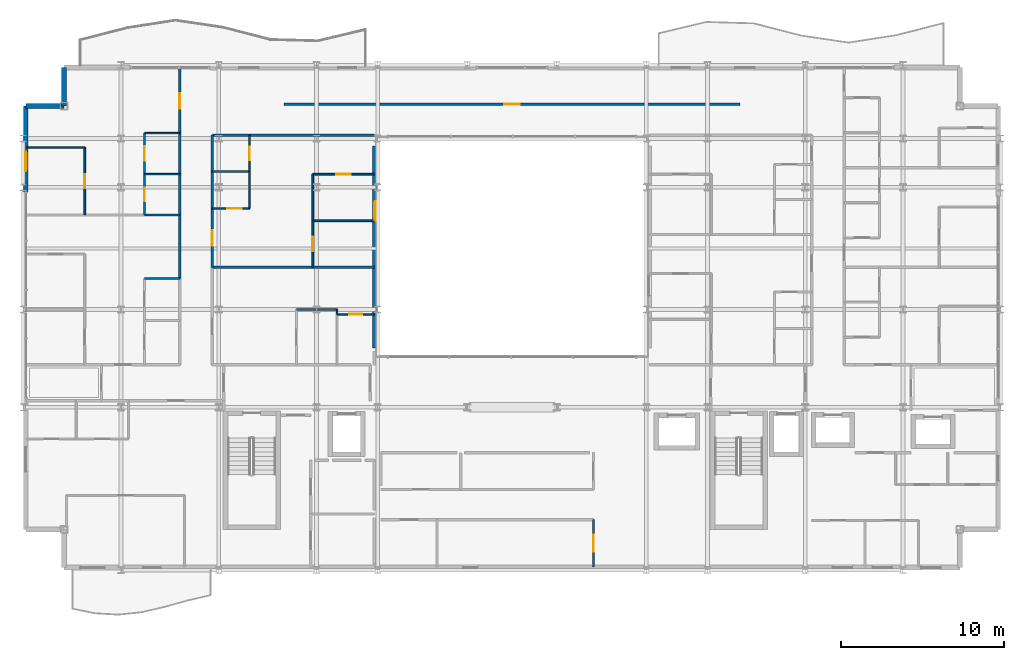
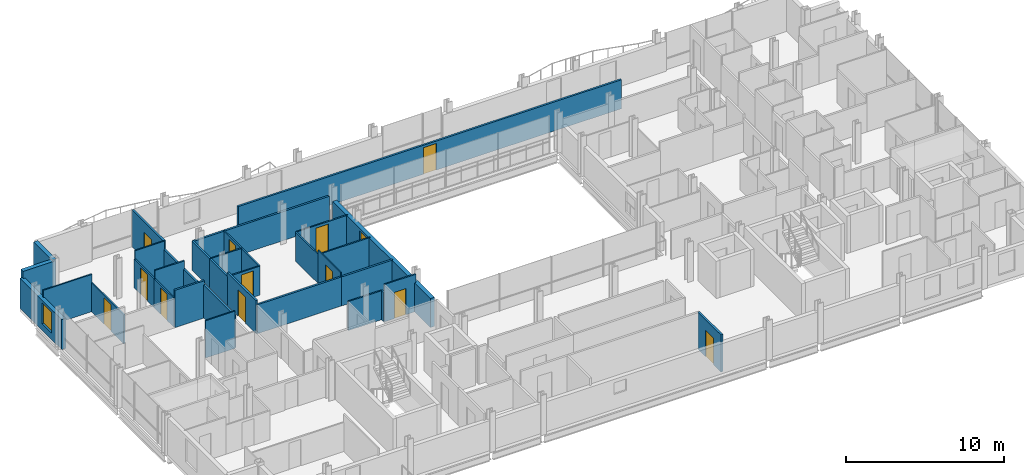
# One storey, part 33 of 40: 36 walls, 12 doors, 2 windows, 14 openings.
"""IFC4 building model written with IfcOpenShell, lengths in metres."""

from ifc_helpers import new_model, si_unit, direction, frame, frame_2d, origin, place, context, subcontext, project, spatial, rectangle, extrude, material, layer, layer_set, type_object, element, fill, save


model = new_model("IFC4")

# Units and contexts
model_context = context("Model", 3, precision=1e-05, world=origin(), true_north=direction((0.0, 1.0)))
body_context = subcontext(model_context, "Body", "Model", "MODEL_VIEW")
ifc_project = project(units=[si_unit("LENGTHUNIT", "METRE"), si_unit("AREAUNIT", "SQUARE_METRE"), si_unit("VOLUMEUNIT", "CUBIC_METRE"), si_unit("PLANEANGLEUNIT", "RADIAN"), si_unit("MASSUNIT", "GRAM", prefix="KILO")], contexts=[model_context])

# Site, building, storey
site_placement = place(None, origin())
site = spatial("IfcSite", under=ifc_project, at=site_placement, CompositionType="ELEMENT")
building_placement = place(site_placement, origin())
building = spatial("IfcBuilding", under=site, at=building_placement, Name="Brevholm Reach", CompositionType="ELEMENT")
storey_placement = place(building_placement, frame((0.0, 0.0, 119.0)))
storey = spatial("IfcBuildingStorey", under=building, at=storey_placement, Name="L35", CompositionType="ELEMENT", Elevation=119.0)

# Walls
ifc_material_1 = material(Name="Concrete C40/50", Category="concrete")
ifc_layer_1 = layer(ifc_material_1, 0.300048828125)
ifc_layer_set_1 = layer_set([ifc_layer_1], Name="Concrete C40/50")
wall_type_1 = type_object("IfcWallType", Name="WAL-EXT-300", PredefinedType="STANDARD", material=ifc_layer_set_1)
for number, where, z_axis, x_axis, name in (
    (1, (2.5, 30.85009765625, 0.0), (0.0, 0.0, 1.0), (0.0, -1.0, 0.0), "L35 Facade Wall WAL-L35-CNW1"),
    (2, (2.5, 28.5, 0.0), (0.0, 0.0, 1.0), (-1.0, 0.0, 0.0), "L35 Facade Wall WAL-L35-CNW2"),
):
    element("IfcWall", number, at=place(storey_placement, frame(where, z_axis=z_axis, x_axis=x_axis)), inside=storey, type_object=wall_type_1, Name=name, PredefinedType="STANDARD", context=body_context, shape_type="SweptSolid", body=[
        extrude(rectangle(XDim=2.35009765625, YDim=0.300048828125, at=frame_2d((1.175048828125, 0.0))), origin(), (0.0, 0.0, 1.0), 2.8798828125),
    ])

# Wall, opening, window
wall_1_placement = place(storey_placement, frame((0.14990234375, 28.5, 0.0), z_axis=(0.0, 0.0, 1.0), x_axis=(0.0, -1.0, 0.0)))
wall_1 = element("IfcWall", 3, at=wall_1_placement, inside=storey, type_object=wall_type_1, Name="L35 Facade Wall WAL-L35-W-N", PredefinedType="STANDARD", context=body_context, shape_type="SweptSolid", body=[
    extrude(rectangle(XDim=5.280029296875, YDim=0.300048828125, at=frame_2d((2.64013671875, 0.0))), origin(), (0.0, 0.0, 1.0), 2.322021484375),
])
opening_1_placement = place(wall_1_placement, frame((2.800048828125, 0.0, 0.501953125)))
opening_1 = element("IfcOpeningElement", 4, at=opening_1_placement, cuts=wall_1, Name="Opening WN-08", PredefinedType="OPENING", context=body_context, shape_type="SweptSolid", body=[
    extrude(rectangle(XDim=1.199951171875, YDim=1.60009765625, at=frame_2d((0.60009765625, 0.800048828125))), frame((0.0, 0.159912109375, 0.0), z_axis=(0.0, -1.0, 0.0), x_axis=(1.0, 0.0, 0.0)), (0.0, 0.0, 1.0), 0.320068359375),
])
ifc_material_2 = material(Name="Dark Anodised Aluminium and Solar-Control IGU Glass", Category="aluminium")
window_type = type_object("IfcWindowType", Name="WIN-RES-1200", PartitioningType="SINGLE_PANEL", PredefinedType="WINDOW", material=ifc_material_2)
window_1_placement = place(opening_1_placement, origin())
window_1 = element("IfcWindow", 5, at=window_1_placement, inside=storey, type_object=window_type, Name="L35 Window WIN-L35-WN-1", OverallHeight=1.60009765625, OverallWidth=1.199951171875, PartitioningType="SINGLE_PANEL", PredefinedType="WINDOW", context=body_context, shape_type="SweptSolid", body=[
    extrude(rectangle(XDim=1.199951171875, YDim=1.60009765625, at=frame_2d((0.60009765625, 0.800048828125))), frame((0.0, 0.030029296875, 0.0), z_axis=(0.0, -1.0, 0.0), x_axis=(1.0, 0.0, 0.0)), (0.0, 0.0, 1.0), 0.06005859375),
])
fill(opening_1, window_1)

wall_2_placement = place(storey_placement, frame((21.60009765625, 26.050048828125, 0.0), z_axis=(0.0, 0.0, 1.0), x_axis=(0.0, -1.0, 0.0)))
wall_2 = element("IfcWall", 6, at=wall_2_placement, inside=storey, type_object=wall_type_1, Name="L35 Facade Wall WAL-L35-AT-W", PredefinedType="STANDARD", context=body_context, shape_type="SweptSolid", body=[
    extrude(rectangle(XDim=12.400146484375, YDim=0.300048828125, at=frame_2d((6.2001953125, 0.0))), origin(), (0.0, 0.0, 1.0), 2.242919921875),
])
opening_2_placement = place(wall_2_placement, frame((3.39990234375, 0.0, 0.423095703125)))
opening_2 = element("IfcOpeningElement", 7, at=opening_2_placement, cuts=wall_2, Name="Opening WN-08", PredefinedType="OPENING", context=body_context, shape_type="SweptSolid", body=[
    extrude(rectangle(XDim=1.199951171875, YDim=1.60009765625, at=frame_2d((0.60009765625, 0.800048828125))), frame((0.0, 0.159912109375, 0.0), z_axis=(0.0, -1.0, 0.0), x_axis=(1.0, 0.0, 0.0)), (0.0, 0.0, 1.0), 0.320068359375),
])
window_2_placement = place(opening_2_placement, origin())
window_2 = element("IfcWindow", 8, at=window_2_placement, inside=storey, type_object=window_type, Name="L35 Window WIN-L35-AT-W1", OverallHeight=1.60009765625, OverallWidth=1.199951171875, PartitioningType="SINGLE_PANEL", PredefinedType="WINDOW", context=body_context, shape_type="SweptSolid", body=[
    extrude(rectangle(XDim=1.199951171875, YDim=1.60009765625, at=frame_2d((0.60009765625, 0.800048828125))), frame((0.0, 0.030029296875, 0.0), z_axis=(0.0, -1.0, 0.0), x_axis=(1.0, 0.0, 0.0)), (0.0, 0.0, 1.0), 0.06005859375),
])
fill(opening_2, window_2)

# Walls
ifc_material_3 = material(Name="Moisture-Resistant Acoustic Gypsum Stud Partition 100 mm", Category="gypsum")
ifc_layer_2 = layer(ifc_material_3, 0.10009765625)
ifc_layer_set_2 = layer_set([ifc_layer_2], Name="Moisture-Resistant Acoustic Gypsum Stud Partition 100 mm")
wall_type_2 = type_object("IfcWallType", Name="WAL-PRT-100", PredefinedType="PARTITIONING", material=ifc_layer_set_2)
for number, where, z_axis, x_axis, name in (
    (9, (7.43798828125, 17.89990234375, 0.0), (0.0, 0.0, 1.0), (1.0, 0.0, 0.0), "L35 Internal Partition 090"),
    (10, (7.43798828125, 24.31005859375, 0.0), (0.0, 0.0, 1.0), (1.0, 0.0, 0.0), "L35 Internal Partition 099"),
):
    element("IfcWall", number, at=place(storey_placement, frame(where, z_axis=z_axis, x_axis=x_axis)), inside=storey, type_object=wall_type_2, Name=name, PredefinedType="PARTITIONING", context=body_context, shape_type="SweptSolid", body=[
        extrude(rectangle(XDim=2.157958984375, YDim=0.10009765625, at=frame_2d((1.0791015625, 0.0))), origin(), (0.0, 0.0, 1.0), 2.8798828125),
    ])

# Wall, opening, door
wall_3_placement = place(storey_placement, frame((7.43798828125, 21.803955078125, 0.0), z_axis=(0.0, 0.0, 1.0), x_axis=(0.0, 1.0, 0.0)))
wall_3 = element("IfcWall", 11, at=wall_3_placement, inside=storey, type_object=wall_type_2, Name="L35 Internal Partition 100", PredefinedType="PARTITIONING", context=body_context, shape_type="SweptSolid", body=[
    extrude(rectangle(XDim=2.506103515625, YDim=0.10009765625, at=frame_2d((1.2529296875, 0.0))), origin(), (0.0, 0.0, 1.0), 2.242919921875),
])
opening_3_placement = place(wall_3_placement, frame((0.843017578125, 0.0, 0.0)))
opening_3 = element("IfcOpeningElement", 12, at=opening_3_placement, cuts=wall_3, Name="Opening ID-03", PredefinedType="OPENING", context=body_context, shape_type="SweptSolid", body=[
    extrude(rectangle(XDim=0.820068359375, YDim=2.02001953125, at=frame_2d((0.41015625, 1.010009765625))), frame((0.0, 0.06005859375, 0.0), z_axis=(0.0, -1.0, 0.0), x_axis=(1.0, 0.0, 0.0)), (0.0, 0.0, 1.0), 0.1201171875),
])
ifc_material_4 = material(Name="Moisture-Resistant Painted Timber Internal Bathroom Door", Category="wood")
door_type_1 = type_object("IfcDoorType", Name="DOR-BATH-820", OperationType="NOTDEFINED", PredefinedType="DOOR", material=ifc_material_4)
door_1_placement = place(opening_3_placement, origin())
door_1 = element("IfcDoor", 13, at=door_1_placement, inside=storey, type_object=door_type_1, Name="L35 Internal Door 037", OperationType="SINGLE_SWING_LEFT", OverallHeight=2.02001953125, OverallWidth=0.820068359375, PredefinedType="DOOR", context=body_context, shape_type="SweptSolid", body=[
    extrude(rectangle(XDim=0.820068359375, YDim=2.02001953125, at=frame_2d((0.41015625, 1.010009765625))), frame((0.0, 0.02490234375, 0.0), z_axis=(0.0, -1.0, 0.0), x_axis=(1.0, 0.0, 0.0)), (0.0, 0.0, 1.0), 0.050048828125),
])
fill(opening_3, door_1)

# Wall
wall_4_placement = place(storey_placement, frame((7.43798828125, 26.830078125, 0.0), z_axis=(0.0, 0.0, 1.0), x_axis=(1.0, 0.0, 0.0)))
element("IfcWall", 14, at=wall_4_placement, inside=storey, type_object=wall_type_2, Name="L35 Internal Partition 101", PredefinedType="PARTITIONING", context=body_context, shape_type="SweptSolid", body=[
    extrude(rectangle(XDim=2.157958984375, YDim=0.10009765625, at=frame_2d((1.0791015625, 0.0))), origin(), (0.0, 0.0, 1.0), 2.8798828125),
])

# Wall, opening, door
wall_5_placement = place(storey_placement, frame((7.43798828125, 24.31396484375, 0.0), z_axis=(0.0, 0.0, 1.0), x_axis=(0.0, 1.0, 0.0)))
wall_5 = element("IfcWall", 15, at=wall_5_placement, inside=storey, type_object=wall_type_2, Name="L35 Internal Partition 102", PredefinedType="PARTITIONING", context=body_context, shape_type="SweptSolid", body=[
    extrude(rectangle(XDim=2.51611328125, YDim=0.10009765625, at=frame_2d((1.258056640625, 0.0))), origin(), (0.0, 0.0, 1.0), 2.242919921875),
])
opening_4_placement = place(wall_5_placement, frame((0.818115234375, 0.0, 0.0)))
opening_4 = element("IfcOpeningElement", 16, at=opening_4_placement, cuts=wall_5, Name="Opening ID-01", PredefinedType="OPENING", context=body_context, shape_type="SweptSolid", body=[
    extrude(rectangle(XDim=0.8798828125, YDim=2.0400390625, at=frame_2d((0.43994140625, 1.02001953125))), frame((0.0, 0.06005859375, 0.0), z_axis=(0.0, -1.0, 0.0), x_axis=(1.0, 0.0, 0.0)), (0.0, 0.0, 1.0), 0.1201171875),
])
ifc_material_5 = material(Name="Lacquered Ash Solid-Core Acoustic Internal Door", Category="timber")
door_type_2 = type_object("IfcDoorType", Name="DOR-INT-880", OperationType="NOTDEFINED", PredefinedType="DOOR", material=ifc_material_5)
door_2_placement = place(opening_4_placement, origin())
door_2 = element("IfcDoor", 17, at=door_2_placement, inside=storey, type_object=door_type_2, Name="L35 Internal Door 038", OperationType="SINGLE_SWING_RIGHT", OverallHeight=2.0400390625, OverallWidth=0.8798828125, PredefinedType="DOOR", context=body_context, shape_type="SweptSolid", body=[
    extrude(rectangle(XDim=0.8798828125, YDim=2.0400390625, at=frame_2d((0.43994140625, 1.02001953125))), frame((0.0, 0.02490234375, 0.0), z_axis=(0.0, -1.0, 0.0), x_axis=(1.0, 0.0, 0.0)), (0.0, 0.0, 1.0), 0.050048828125),
])
fill(opening_4, door_2)

wall_6_placement = place(storey_placement, frame((3.77197265625, 21.803955078125, 0.0), z_axis=(0.0, 0.0, 1.0), x_axis=(0.0, 1.0, 0.0)))
wall_6 = element("IfcWall", 18, at=wall_6_placement, inside=storey, type_object=wall_type_2, Name="L35 Internal Partition 103", PredefinedType="PARTITIONING", context=body_context, shape_type="SweptSolid", body=[
    extrude(rectangle(XDim=4.14599609375, YDim=0.10009765625, at=frame_2d((2.072998046875, 0.0))), origin(), (0.0, 0.0, 1.0), 2.242919921875),
])
opening_5_placement = place(wall_6_placement, frame((1.633056640625, 0.0, 0.0)))
opening_5 = element("IfcOpeningElement", 19, at=opening_5_placement, cuts=wall_6, Name="Opening ID-01", PredefinedType="OPENING", context=body_context, shape_type="SweptSolid", body=[
    extrude(rectangle(XDim=0.8798828125, YDim=2.0400390625, at=frame_2d((0.43994140625, 1.02001953125))), frame((0.0, 0.06005859375, 0.0), z_axis=(0.0, -1.0, 0.0), x_axis=(1.0, 0.0, 0.0)), (0.0, 0.0, 1.0), 0.1201171875),
])
door_3_placement = place(opening_5_placement, origin())
door_3 = element("IfcDoor", 20, at=door_3_placement, inside=storey, type_object=door_type_2, Name="L35 Internal Door 039", OperationType="SINGLE_SWING_LEFT", OverallHeight=2.0400390625, OverallWidth=0.8798828125, PredefinedType="DOOR", context=body_context, shape_type="SweptSolid", body=[
    extrude(rectangle(XDim=0.8798828125, YDim=2.0400390625, at=frame_2d((0.43994140625, 1.02001953125))), frame((0.0, 0.02490234375, 0.0), z_axis=(0.0, -1.0, 0.0), x_axis=(1.0, 0.0, 0.0)), (0.0, 0.0, 1.0), 0.050048828125),
])
fill(opening_5, door_3)

# Wall
wall_7_placement = place(storey_placement, frame((0.199951171875, 25.949951171875, 0.0), z_axis=(0.0, 0.0, 1.0), x_axis=(1.0, 0.0, 0.0)))
element("IfcWall", 21, at=wall_7_placement, inside=storey, type_object=wall_type_2, Name="L35 Internal Partition 104", PredefinedType="PARTITIONING", context=body_context, shape_type="SweptSolid", body=[
    extrude(rectangle(XDim=3.572021484375, YDim=0.10009765625, at=frame_2d((1.7861328125, 0.0))), origin(), (0.0, 0.0, 1.0), 2.8798828125),
])

# Wall, opening, door
wall_8_placement = place(storey_placement, frame((19.260986328125, 15.699951171875, 0.0), z_axis=(0.0, 0.0, 1.0), x_axis=(1.0, 0.0, 0.0)))
wall_8 = element("IfcWall", 22, at=wall_8_placement, inside=storey, type_object=wall_type_2, Name="L35 Internal Partition 106", PredefinedType="PARTITIONING", context=body_context, shape_type="SweptSolid", body=[
    extrude(rectangle(XDim=2.2890625, YDim=0.10009765625, at=frame_2d((1.14453125, 0.0))), origin(), (0.0, 0.0, 1.0), 2.8798828125),
])
opening_6_placement = place(wall_8_placement, frame((0.734619140625, 0.0, 0.0)))
opening_6 = element("IfcOpeningElement", 23, at=opening_6_placement, cuts=wall_8, Name="Opening ID-03", PredefinedType="OPENING", context=body_context, shape_type="SweptSolid", body=[
    extrude(rectangle(XDim=0.820068359375, YDim=2.02001953125, at=frame_2d((0.41015625, 1.010009765625))), frame((0.0, 0.06005859375, 0.0), z_axis=(0.0, -1.0, 0.0), x_axis=(1.0, 0.0, 0.0)), (0.0, 0.0, 1.0), 0.1201171875),
])
door_4_placement = place(opening_6_placement, origin())
door_4 = element("IfcDoor", 24, at=door_4_placement, inside=storey, type_object=door_type_1, Name="L35 Internal Door 040", OperationType="SINGLE_SWING_RIGHT", OverallHeight=2.02001953125, OverallWidth=0.820068359375, PredefinedType="DOOR", context=body_context, shape_type="SweptSolid", body=[
    extrude(rectangle(XDim=0.820068359375, YDim=2.02001953125, at=frame_2d((0.41015625, 1.010009765625))), frame((0.0, 0.02490234375, 0.0), z_axis=(0.0, -1.0, 0.0), x_axis=(1.0, 0.0, 0.0)), (0.0, 0.0, 1.0), 0.050048828125),
])
fill(opening_6, door_4)

# Walls
wall_9_placement = place(storey_placement, frame((19.260986328125, 15.7041015625, 0.0), z_axis=(0.0, 0.0, 1.0), x_axis=(0.0, 1.0, 0.0)))
element("IfcWall", 25, at=wall_9_placement, inside=storey, type_object=wall_type_2, Name="L35 Internal Partition 107", PredefinedType="PARTITIONING", context=body_context, shape_type="SweptSolid", body=[
    extrude(rectangle(XDim=0.2958984375, YDim=0.10009765625, at=frame_2d((0.14794921875, 0.0))), origin(), (0.0, 0.0, 1.0), 2.242919921875),
])
wall_10_placement = place(storey_placement, frame((16.77294921875, 16.0, 0.0), z_axis=(0.0, 0.0, 1.0), x_axis=(1.0, 0.0, 0.0)))
element("IfcWall", 26, at=wall_10_placement, inside=storey, type_object=wall_type_2, Name="L35 Internal Partition 108", PredefinedType="PARTITIONING", context=body_context, shape_type="SweptSolid", body=[
    extrude(rectangle(XDim=2.488037109375, YDim=0.10009765625, at=frame_2d((1.244140625, 0.0))), origin(), (0.0, 0.0, 1.0), 2.242919921875),
])
wall_11_placement = place(storey_placement, frame((11.60400390625, 24.472900390625, 0.0), z_axis=(0.0, 0.0, 1.0), x_axis=(1.0, 0.0, 0.0)))
element("IfcWall", 27, at=wall_11_placement, inside=storey, type_object=wall_type_2, Name="L35 Internal Partition 112", PredefinedType="PARTITIONING", context=body_context, shape_type="SweptSolid", body=[
    extrude(rectangle(XDim=2.284912109375, YDim=0.10009765625, at=frame_2d((1.142578125, 0.0))), origin(), (0.0, 0.0, 1.0), 2.242919921875),
])

# Wall, opening, door
wall_12_placement = place(storey_placement, frame((13.888916015625, 24.472900390625, 0.0), z_axis=(0.0, 0.0, 1.0), x_axis=(0.0, 1.0, 0.0)))
wall_12 = element("IfcWall", 28, at=wall_12_placement, inside=storey, type_object=wall_type_2, Name="L35 Internal Partition 113", PredefinedType="PARTITIONING", context=body_context, shape_type="SweptSolid", body=[
    extrude(rectangle(XDim=2.22314453125, YDim=0.10009765625, at=frame_2d((1.111572265625, 0.0))), origin(), (0.0, 0.0, 1.0), 2.242919921875),
])
opening_7_placement = place(wall_12_placement, frame((0.701416015625, 0.0, 0.0)))
opening_7 = element("IfcOpeningElement", 29, at=opening_7_placement, cuts=wall_12, Name="Opening ID-03", PredefinedType="OPENING", context=body_context, shape_type="SweptSolid", body=[
    extrude(rectangle(XDim=0.820068359375, YDim=2.02001953125, at=frame_2d((0.41015625, 1.010009765625))), frame((0.0, 0.06005859375, 0.0), z_axis=(0.0, -1.0, 0.0), x_axis=(1.0, 0.0, 0.0)), (0.0, 0.0, 1.0), 0.1201171875),
])
door_5_placement = place(opening_7_placement, origin())
door_5 = element("IfcDoor", 30, at=door_5_placement, inside=storey, type_object=door_type_1, Name="L35 Internal Door 042", OperationType="SINGLE_SWING_RIGHT", OverallHeight=2.02001953125, OverallWidth=0.820068359375, PredefinedType="DOOR", context=body_context, shape_type="SweptSolid", body=[
    extrude(rectangle(XDim=0.820068359375, YDim=2.02001953125, at=frame_2d((0.41015625, 1.010009765625))), frame((0.0, 0.02490234375, 0.0), z_axis=(0.0, -1.0, 0.0), x_axis=(1.0, 0.0, 0.0)), (0.0, 0.0, 1.0), 0.050048828125),
])
fill(opening_7, door_5)

wall_13_placement = place(storey_placement, frame((11.60400390625, 22.205078125, 0.0), z_axis=(0.0, 0.0, 1.0), x_axis=(1.0, 0.0, 0.0)))
wall_13 = element("IfcWall", 31, at=wall_13_placement, inside=storey, type_object=wall_type_2, Name="L35 Internal Partition 114", PredefinedType="PARTITIONING", context=body_context, shape_type="SweptSolid", body=[
    extrude(rectangle(XDim=2.284912109375, YDim=0.10009765625, at=frame_2d((1.142578125, 0.0))), origin(), (0.0, 0.0, 1.0), 2.242919921875),
])
opening_8_placement = place(wall_13_placement, frame((0.922607421875, 0.0, 0.0)))
opening_8 = element("IfcOpeningElement", 32, at=opening_8_placement, cuts=wall_13, Name="Opening ID-01", PredefinedType="OPENING", context=body_context, shape_type="SweptSolid", body=[
    extrude(rectangle(XDim=0.8798828125, YDim=2.0400390625, at=frame_2d((0.43994140625, 1.02001953125))), frame((0.0, 0.06005859375, 0.0), z_axis=(0.0, -1.0, 0.0), x_axis=(1.0, 0.0, 0.0)), (0.0, 0.0, 1.0), 0.1201171875),
])
door_6_placement = place(opening_8_placement, origin())
door_6 = element("IfcDoor", 33, at=door_6_placement, inside=storey, type_object=door_type_2, Name="L35 Internal Door 043", OperationType="SINGLE_SWING_LEFT", OverallHeight=2.0400390625, OverallWidth=0.8798828125, PredefinedType="DOOR", context=body_context, shape_type="SweptSolid", body=[
    extrude(rectangle(XDim=0.8798828125, YDim=2.0400390625, at=frame_2d((0.43994140625, 1.02001953125))), frame((0.0, 0.02490234375, 0.0), z_axis=(0.0, -1.0, 0.0), x_axis=(1.0, 0.0, 0.0)), (0.0, 0.0, 1.0), 0.050048828125),
])
fill(opening_8, door_6)

# Walls
wall_14_placement = place(storey_placement, frame((13.888916015625, 22.205078125, 0.0), z_axis=(0.0, 0.0, 1.0), x_axis=(0.0, 1.0, 0.0)))
element("IfcWall", 34, at=wall_14_placement, inside=storey, type_object=wall_type_2, Name="L35 Internal Partition 115", PredefinedType="PARTITIONING", context=body_context, shape_type="SweptSolid", body=[
    extrude(rectangle(XDim=2.263916015625, YDim=0.10009765625, at=frame_2d((1.1318359375, 0.0))), origin(), (0.0, 0.0, 1.0), 2.242919921875),
])
wall_15_placement = place(storey_placement, frame((17.76904296875, 21.449951171875, 0.0), z_axis=(0.0, 0.0, 1.0), x_axis=(1.0, 0.0, 0.0)))
element("IfcWall", 35, at=wall_15_placement, inside=storey, type_object=wall_type_2, Name="L35 Internal Partition 116", PredefinedType="PARTITIONING", context=body_context, shape_type="SweptSolid", body=[
    extrude(rectangle(XDim=3.781005859375, YDim=0.10009765625, at=frame_2d((1.890625, 0.0))), origin(), (0.0, 0.0, 1.0), 2.242919921875),
])

# Wall, opening, door
wall_16_placement = place(storey_placement, frame((17.76904296875, 18.60400390625, 0.0), z_axis=(0.0, 0.0, 1.0), x_axis=(0.0, 1.0, 0.0)))
wall_16 = element("IfcWall", 36, at=wall_16_placement, inside=storey, type_object=wall_type_2, Name="L35 Internal Partition 117", PredefinedType="PARTITIONING", context=body_context, shape_type="SweptSolid", body=[
    extrude(rectangle(XDim=2.845947265625, YDim=0.10009765625, at=frame_2d((1.4228515625, 0.0))), origin(), (0.0, 0.0, 1.0), 2.551513671875),
])
opening_9_placement = place(wall_16_placement, frame((0.98291015625, 0.0, 0.0)))
opening_9 = element("IfcOpeningElement", 37, at=opening_9_placement, cuts=wall_16, Name="Opening ID-01", PredefinedType="OPENING", context=body_context, shape_type="SweptSolid", body=[
    extrude(rectangle(XDim=0.8798828125, YDim=2.0400390625, at=frame_2d((0.43994140625, 1.02001953125))), frame((0.0, 0.06005859375, 0.0), z_axis=(0.0, -1.0, 0.0), x_axis=(1.0, 0.0, 0.0)), (0.0, 0.0, 1.0), 0.1201171875),
])
door_7_placement = place(opening_9_placement, origin())
door_7 = element("IfcDoor", 38, at=door_7_placement, inside=storey, type_object=door_type_2, Name="L35 Internal Door 044", OperationType="SINGLE_SWING_RIGHT", OverallHeight=2.0400390625, OverallWidth=0.8798828125, PredefinedType="DOOR", context=body_context, shape_type="SweptSolid", body=[
    extrude(rectangle(XDim=0.8798828125, YDim=2.0400390625, at=frame_2d((0.43994140625, 1.02001953125))), frame((0.0, 0.02490234375, 0.0), z_axis=(0.0, -1.0, 0.0), x_axis=(1.0, 0.0, 0.0)), (0.0, 0.0, 1.0), 0.050048828125),
])
fill(opening_9, door_7)

wall_17_placement = place(storey_placement, frame((17.76904296875, 24.300048828125, 0.0), z_axis=(0.0, 0.0, 1.0), x_axis=(1.0, 0.0, 0.0)))
wall_17 = element("IfcWall", 39, at=wall_17_placement, inside=storey, type_object=wall_type_2, Name="L35 Internal Partition 118", PredefinedType="PARTITIONING", context=body_context, shape_type="SweptSolid", body=[
    extrude(rectangle(XDim=3.781005859375, YDim=0.10009765625, at=frame_2d((1.890625, 0.0))), origin(), (0.0, 0.0, 1.0), 2.242919921875),
])
opening_10_placement = place(wall_17_placement, frame((1.450439453125, 0.0, 0.0)))
opening_10 = element("IfcOpeningElement", 40, at=opening_10_placement, cuts=wall_17, Name="Opening ID-01", PredefinedType="OPENING", context=body_context, shape_type="SweptSolid", body=[
    extrude(rectangle(XDim=0.8798828125, YDim=2.0400390625, at=frame_2d((0.43994140625, 1.02001953125))), frame((0.0, 0.06005859375, 0.0), z_axis=(0.0, -1.0, 0.0), x_axis=(1.0, 0.0, 0.0)), (0.0, 0.0, 1.0), 0.1201171875),
])
door_8_placement = place(opening_10_placement, origin())
door_8 = element("IfcDoor", 41, at=door_8_placement, inside=storey, type_object=door_type_2, Name="L35 Internal Door 045", OperationType="SINGLE_SWING_LEFT", OverallHeight=2.0400390625, OverallWidth=0.8798828125, PredefinedType="DOOR", context=body_context, shape_type="SweptSolid", body=[
    extrude(rectangle(XDim=0.8798828125, YDim=2.0400390625, at=frame_2d((0.43994140625, 1.02001953125))), frame((0.0, 0.02490234375, 0.0), z_axis=(0.0, -1.0, 0.0), x_axis=(1.0, 0.0, 0.0)), (0.0, 0.0, 1.0), 0.050048828125),
])
fill(opening_10, door_8)

# Wall
wall_18_placement = place(storey_placement, frame((17.76904296875, 21.4541015625, 0.0), z_axis=(0.0, 0.0, 1.0), x_axis=(0.0, 1.0, 0.0)))
element("IfcWall", 42, at=wall_18_placement, inside=storey, type_object=wall_type_2, Name="L35 Internal Partition 119", PredefinedType="PARTITIONING", context=body_context, shape_type="SweptSolid", body=[
    extrude(rectangle(XDim=2.845947265625, YDim=0.10009765625, at=frame_2d((1.4228515625, 0.0))), origin(), (0.0, 0.0, 1.0), 2.242919921875),
])

# Wall, opening, door
ifc_material_6 = material(Name="Twin-Stud Acoustic Fire-Rated Gypsum Partition 140 mm", Category="gypsum")
ifc_layer_3 = layer(ifc_material_6, 0.139892578125)
ifc_layer_set_3 = layer_set([ifc_layer_3], Name="Twin-Stud Acoustic Fire-Rated Gypsum Partition 140 mm")
wall_type_3 = type_object("IfcWallType", Name="WAL-PRT-140", PredefinedType="PARTITIONING", material=ifc_layer_set_3)
wall_19_placement = place(storey_placement, frame((35.0, 0.179931640625, 0.0), z_axis=(0.0, 0.0, 1.0), x_axis=(0.0, 1.0, 0.0)))
wall_19 = element("IfcWall", 43, at=wall_19_placement, inside=storey, type_object=wall_type_3, Name="L35 Internal Partition 001", PredefinedType="PARTITIONING", context=body_context, shape_type="SweptSolid", body=[
    extrude(rectangle(XDim=2.927490234375, YDim=0.139892578125, at=frame_2d((1.4638671875, 0.0))), origin(), (0.0, 0.0, 1.0), 2.8798828125),
])
opening_11_placement = place(wall_19_placement, frame((0.938720703125, 0.0, 0.0)))
opening_11 = element("IfcOpeningElement", 44, at=opening_11_placement, cuts=wall_19, Name="Opening FD-01", PredefinedType="OPENING", context=body_context, shape_type="SweptSolid", body=[
    extrude(rectangle(XDim=1.050048828125, YDim=2.06005859375, at=frame_2d((0.52490234375, 1.030029296875))), frame((0.0, 0.079833984375, 0.0), z_axis=(0.0, -1.0, 0.0), x_axis=(1.0, 0.0, 0.0)), (0.0, 0.0, 1.0), 0.159912109375),
])
ifc_material_7 = material(Name="Hardwood-Lipped Steel-Core Fire and Smoke Door", Category="steel")
door_type_3 = type_object("IfcDoorType", Name="DOR-INT-FD60S", OperationType="NOTDEFINED", PredefinedType="DOOR", material=ifc_material_7)
door_9_placement = place(opening_11_placement, origin())
door_9 = element("IfcDoor", 45, at=door_9_placement, inside=storey, type_object=door_type_3, Name="L35 Internal Door 001", OperationType="SINGLE_SWING_LEFT", OverallHeight=2.06005859375, OverallWidth=1.050048828125, PredefinedType="DOOR", context=body_context, shape_type="SweptSolid", body=[
    extrude(rectangle(XDim=1.050048828125, YDim=2.06005859375, at=frame_2d((0.52490234375, 1.030029296875))), frame((0.0, 0.02490234375, 0.0), z_axis=(0.0, -1.0, 0.0), x_axis=(1.0, 0.0, 0.0)), (0.0, 0.0, 1.0), 0.050048828125),
])
fill(opening_11, door_9)

# Walls
wall_20_placement = place(storey_placement, frame((9.60009765625, 17.892578125, 0.0), z_axis=(0.0, 0.0, 1.0), x_axis=(0.0, 1.0, 0.0)))
element("IfcWall", 46, at=wall_20_placement, inside=storey, type_object=wall_type_3, Name="L35 Internal Partition 038", PredefinedType="PARTITIONING", context=body_context, shape_type="SweptSolid", body=[
    extrude(rectangle(XDim=3.918701171875, YDim=0.139892578125, at=frame_2d((1.95947265625, 0.0))), origin(), (0.0, 0.0, 1.0), 2.551513671875),
])
wall_21_placement = place(storey_placement, frame((9.60009765625, 21.792724609375, 0.0), z_axis=(0.0, 0.0, 1.0), x_axis=(0.0, 1.0, 0.0)))
element("IfcWall", 47, at=wall_21_placement, inside=storey, type_object=wall_type_3, Name="L35 Internal Partition 039", PredefinedType="PARTITIONING", context=body_context, shape_type="SweptSolid", body=[
    extrude(rectangle(XDim=2.528564453125, YDim=0.139892578125, at=frame_2d((1.26416015625, 0.0))), origin(), (0.0, 0.0, 1.0), 2.242919921875),
])
wall_22_placement = place(storey_placement, frame((9.60009765625, 24.302734375, 0.0), z_axis=(0.0, 0.0, 1.0), x_axis=(0.0, 1.0, 0.0)))
element("IfcWall", 48, at=wall_22_placement, inside=storey, type_object=wall_type_3, Name="L35 Internal Partition 040", PredefinedType="PARTITIONING", context=body_context, shape_type="SweptSolid", body=[
    extrude(rectangle(XDim=2.53857421875, YDim=0.139892578125, at=frame_2d((1.269287109375, 0.0))), origin(), (0.0, 0.0, 1.0), 2.242919921875),
])

# Wall, opening, door
wall_23_placement = place(storey_placement, frame((9.60009765625, 26.82275390625, 0.0), z_axis=(0.0, 0.0, 1.0), x_axis=(0.0, 1.0, 0.0)))
wall_23 = element("IfcWall", 49, at=wall_23_placement, inside=storey, type_object=wall_type_3, Name="L35 Internal Partition 041", PredefinedType="PARTITIONING", context=body_context, shape_type="SweptSolid", body=[
    extrude(rectangle(XDim=3.977294921875, YDim=0.139892578125, at=frame_2d((1.98876953125, 0.0))), origin(), (0.0, 0.0, 1.0), 2.8798828125),
])
opening_12_placement = place(wall_23_placement, frame((1.513671875, 0.0, 0.0)))
opening_12 = element("IfcOpeningElement", 50, at=opening_12_placement, cuts=wall_23, Name="Opening ID-30", PredefinedType="OPENING", context=body_context, shape_type="SweptSolid", body=[
    extrude(rectangle(XDim=0.949951171875, YDim=2.050048828125, at=frame_2d((0.47509765625, 1.02490234375))), frame((0.0, 0.079833984375, 0.0), z_axis=(0.0, -1.0, 0.0), x_axis=(1.0, 0.0, 0.0)), (0.0, 0.0, 1.0), 0.159912109375),
])
ifc_material_8 = material(Name="European Oak Veneered Solid-Core Fire Entrance Door", Category="timber")
door_type_4 = type_object("IfcDoorType", Name="DOR-FLT-FD30S", OperationType="NOTDEFINED", PredefinedType="DOOR", material=ifc_material_8)
door_10_placement = place(opening_12_placement, origin())
door_10 = element("IfcDoor", 51, at=door_10_placement, inside=storey, type_object=door_type_4, Name="L35 Internal Door 018", OperationType="SINGLE_SWING_RIGHT", OverallHeight=2.050048828125, OverallWidth=0.949951171875, PredefinedType="DOOR", context=body_context, shape_type="SweptSolid", body=[
    extrude(rectangle(XDim=0.949951171875, YDim=2.050048828125, at=frame_2d((0.47509765625, 1.02490234375))), frame((0.0, 0.02490234375, 0.0), z_axis=(0.0, -1.0, 0.0), x_axis=(1.0, 0.0, 0.0)), (0.0, 0.0, 1.0), 0.050048828125),
])
fill(opening_12, door_10)

# Walls
wall_24_placement = place(storey_placement, frame((11.60009765625, 24.461669921875, 0.0), z_axis=(0.0, 0.0, 1.0), x_axis=(0.0, 1.0, 0.0)))
element("IfcWall", 52, at=wall_24_placement, inside=storey, type_object=wall_type_3, Name="L35 Internal Partition 043", PredefinedType="PARTITIONING", context=body_context, shape_type="SweptSolid", body=[
    extrude(rectangle(XDim=2.24560546875, YDim=0.139892578125, at=frame_2d((1.122802734375, 0.0))), origin(), (0.0, 0.0, 1.0), 2.242919921875),
])
wall_25_placement = place(storey_placement, frame((11.60009765625, 22.193603515625, 0.0), z_axis=(0.0, 0.0, 1.0), x_axis=(0.0, 1.0, 0.0)))
element("IfcWall", 53, at=wall_25_placement, inside=storey, type_object=wall_type_3, Name="L35 Internal Partition 044", PredefinedType="PARTITIONING", context=body_context, shape_type="SweptSolid", body=[
    extrude(rectangle(XDim=2.28662109375, YDim=0.139892578125, at=frame_2d((1.143310546875, 0.0))), origin(), (0.0, 0.0, 1.0), 2.242919921875),
])

# Wall, opening, door
wall_26_placement = place(storey_placement, frame((11.60009765625, 18.5927734375, 0.0), z_axis=(0.0, 0.0, 1.0), x_axis=(0.0, 1.0, 0.0)))
wall_26 = element("IfcWall", 54, at=wall_26_placement, inside=storey, type_object=wall_type_3, Name="L35 Internal Partition 045", PredefinedType="PARTITIONING", context=body_context, shape_type="SweptSolid", body=[
    extrude(rectangle(XDim=3.61962890625, YDim=0.139892578125, at=frame_2d((1.809814453125, 0.0))), origin(), (0.0, 0.0, 1.0), 2.551513671875),
])
opening_13_placement = place(wall_26_placement, frame((1.334716796875, 0.0, 0.0)))
opening_13 = element("IfcOpeningElement", 55, at=opening_13_placement, cuts=wall_26, Name="Opening ID-30", PredefinedType="OPENING", context=body_context, shape_type="SweptSolid", body=[
    extrude(rectangle(XDim=0.949951171875, YDim=2.050048828125, at=frame_2d((0.47509765625, 1.02490234375))), frame((0.0, 0.079833984375, 0.0), z_axis=(0.0, -1.0, 0.0), x_axis=(1.0, 0.0, 0.0)), (0.0, 0.0, 1.0), 0.159912109375),
])
door_11_placement = place(opening_13_placement, origin())
door_11 = element("IfcDoor", 56, at=door_11_placement, inside=storey, type_object=door_type_4, Name="L35 Internal Door 020", OperationType="SINGLE_SWING_RIGHT", OverallHeight=2.050048828125, OverallWidth=0.949951171875, PredefinedType="DOOR", context=body_context, shape_type="SweptSolid", body=[
    extrude(rectangle(XDim=0.949951171875, YDim=2.050048828125, at=frame_2d((0.47509765625, 1.02490234375))), frame((0.0, 0.02490234375, 0.0), z_axis=(0.0, -1.0, 0.0), x_axis=(1.0, 0.0, 0.0)), (0.0, 0.0, 1.0), 0.050048828125),
])
fill(opening_13, door_11)

# Walls
wall_27_placement = place(storey_placement, frame((11.60400390625, 26.699951171875, 0.0), z_axis=(0.0, 0.0, 1.0), x_axis=(1.0, 0.0, 0.0)))
element("IfcWall", 57, at=wall_27_placement, inside=storey, type_object=wall_type_3, Name="L35 Internal Partition 061", PredefinedType="PARTITIONING", context=body_context, shape_type="SweptSolid", body=[
    extrude(rectangle(XDim=2.29638671875, YDim=0.139892578125, at=frame_2d((1.148193359375, 0.0))), origin(), (0.0, 0.0, 1.0), 2.242919921875),
])
wall_28_placement = place(storey_placement, frame((13.881591796875, 26.699951171875, 0.0), z_axis=(0.0, 0.0, 1.0), x_axis=(1.0, 0.0, 0.0)))
element("IfcWall", 58, at=wall_28_placement, inside=storey, type_object=wall_type_3, Name="L35 Internal Partition 062", PredefinedType="PARTITIONING", context=body_context, shape_type="SweptSolid", body=[
    extrude(rectangle(XDim=7.6796875, YDim=0.139892578125, at=frame_2d((3.83984375, 0.0))), origin(), (0.0, 0.0, 1.0), 2.242919921875),
])

# Wall, opening, door
wall_29_placement = place(storey_placement, frame((15.98876953125, 28.60009765625, 0.0), z_axis=(0.0, 0.0, 1.0), x_axis=(1.0, 0.0, 0.0)))
wall_29 = element("IfcWall", 59, at=wall_29_placement, inside=storey, type_object=wall_type_3, Name="L35 Internal Partition 064", PredefinedType="PARTITIONING", context=body_context, shape_type="SweptSolid", body=[
    extrude(rectangle(XDim=28.0224609375, YDim=0.139892578125, at=frame_2d((14.01123046875, 0.0))), origin(), (0.0, 0.0, 1.0), 2.242919921875),
])
opening_14_placement = place(wall_29_placement, frame((13.536376953125, 0.0, 0.0)))
opening_14 = element("IfcOpeningElement", 60, at=opening_14_placement, cuts=wall_29, Name="Opening ID-30", PredefinedType="OPENING", context=body_context, shape_type="SweptSolid", body=[
    extrude(rectangle(XDim=0.949951171875, YDim=2.050048828125, at=frame_2d((0.47509765625, 1.02490234375))), frame((0.0, 0.079833984375, 0.0), z_axis=(0.0, -1.0, 0.0), x_axis=(1.0, 0.0, 0.0)), (0.0, 0.0, 1.0), 0.159912109375),
])
door_12_placement = place(opening_14_placement, origin())
door_12 = element("IfcDoor", 61, at=door_12_placement, inside=storey, type_object=door_type_4, Name="L35 Internal Door 025", OperationType="SINGLE_SWING_LEFT", OverallHeight=2.050048828125, OverallWidth=0.949951171875, PredefinedType="DOOR", context=body_context, shape_type="SweptSolid", body=[
    extrude(rectangle(XDim=0.949951171875, YDim=2.050048828125, at=frame_2d((0.47509765625, 1.02490234375))), frame((0.0, 0.02490234375, 0.0), z_axis=(0.0, -1.0, 0.0), x_axis=(1.0, 0.0, 0.0)), (0.0, 0.0, 1.0), 0.050048828125),
])
fill(opening_14, door_12)

# Walls
wall_30_placement = place(storey_placement, frame((7.4267578125, 21.800048828125, 0.0), z_axis=(0.0, 0.0, 1.0), x_axis=(1.0, 0.0, 0.0)))
element("IfcWall", 62, at=wall_30_placement, inside=storey, type_object=wall_type_3, Name="L35 Internal Partition 096", PredefinedType="PARTITIONING", context=body_context, shape_type="SweptSolid", body=[
    extrude(rectangle(XDim=2.169189453125, YDim=0.139892578125, at=frame_2d((1.08447265625, 0.0))), origin(), (0.0, 0.0, 1.0), 2.8798828125),
])
wall_31_placement = place(storey_placement, frame((17.7578125, 18.60009765625, 0.0), z_axis=(0.0, 0.0, 1.0), x_axis=(1.0, 0.0, 0.0)))
element("IfcWall", 63, at=wall_31_placement, inside=storey, type_object=wall_type_3, Name="L35 Internal Partition 110", PredefinedType="PARTITIONING", context=body_context, shape_type="SweptSolid", body=[
    extrude(rectangle(XDim=3.792236328125, YDim=0.139892578125, at=frame_2d((1.89599609375, 0.0))), origin(), (0.0, 0.0, 1.0), 2.242919921875),
])
wall_32_placement = place(storey_placement, frame((11.60400390625, 18.60009765625, 0.0), z_axis=(0.0, 0.0, 1.0), x_axis=(1.0, 0.0, 0.0)))
element("IfcWall", 64, at=wall_32_placement, inside=storey, type_object=wall_type_3, Name="L35 Internal Partition 111", PredefinedType="PARTITIONING", context=body_context, shape_type="SweptSolid", body=[
    extrude(rectangle(XDim=6.17236328125, YDim=0.139892578125, at=frame_2d((3.086181640625, 0.0))), origin(), (0.0, 0.0, 1.0), 2.242919921875),
])

save(model, "model.ifc")
